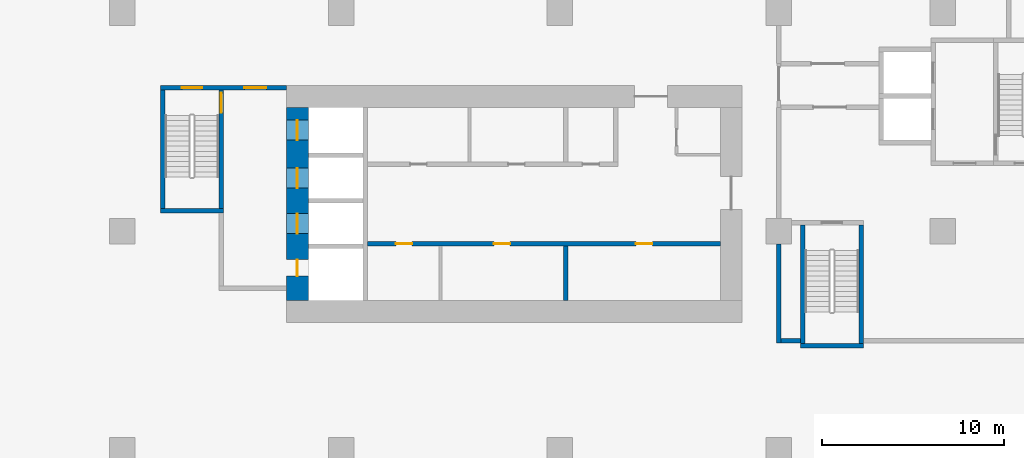
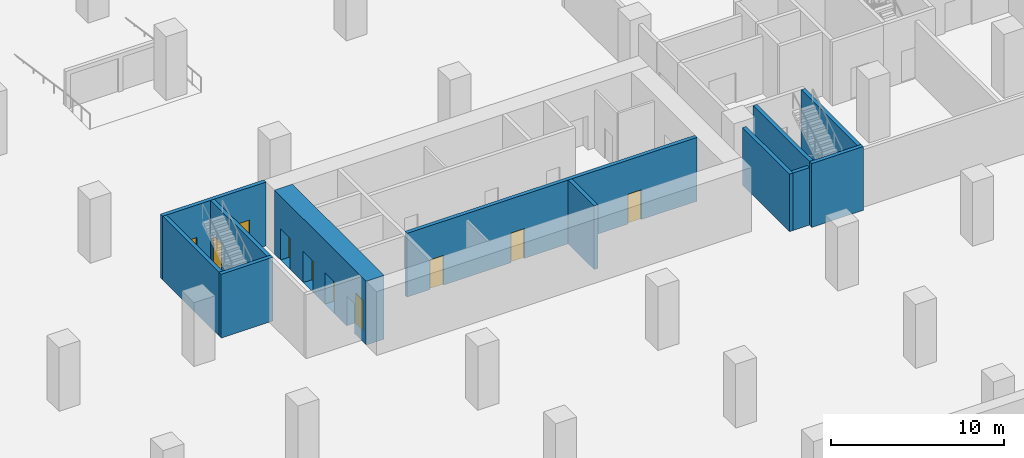
# One storey, part 2 of 10: 12 walls, 10 doors, 10 openings.
"""IFC4 building model written with IfcOpenShell, lengths in metres."""

from ifc_helpers import new_model, si_unit, direction, frame, frame_2d, origin, place, context, subcontext, project, spatial, rectangle, extrude, material, layer, layer_set, type_object, element, fill, save


model = new_model("IFC4")

# Units and contexts
model_context = context("Model", 3, precision=1e-05, world=origin(), true_north=direction((0.0, 1.0)))
body_context = subcontext(model_context, "Body", "Model", "MODEL_VIEW")
ifc_project = project(units=[si_unit("LENGTHUNIT", "METRE"), si_unit("AREAUNIT", "SQUARE_METRE"), si_unit("VOLUMEUNIT", "CUBIC_METRE"), si_unit("PLANEANGLEUNIT", "RADIAN"), si_unit("MASSUNIT", "GRAM", prefix="KILO")], contexts=[model_context])

# Site, building, storey
site_placement = place(None, origin())
site = spatial("IfcSite", under=ifc_project, at=site_placement, CompositionType="ELEMENT")
building_placement = place(site_placement, origin())
building = spatial("IfcBuilding", under=site, at=building_placement, Name="Chenar Terraces", CompositionType="ELEMENT")
storey_placement = place(building_placement, frame((0.0, 0.0, -9.0)))
storey = spatial("IfcBuildingStorey", under=building, at=storey_placement, Name="B2", CompositionType="ELEMENT", Elevation=-9.0)

# Wall, openings, doors
ifc_material_1 = material(Name="Concrete C70/85", Category="concrete")
ifc_layer_1 = layer(ifc_material_1, 1.199951171875)
ifc_layer_set_1 = layer_set([ifc_layer_1], Name="Concrete C70/85")
wall_type_1 = type_object("IfcWallType", Name="Core wall 1200 Concrete C70/85", PredefinedType="SHEAR", material=ifc_layer_set_1)
wall_1_placement = place(storey_placement, frame((9.60009765625, 8.199951171875, 0.0), z_axis=(0.0, 0.0, 1.0), x_axis=(0.0, 1.0, 0.0)))
wall_1 = element("IfcWall", 1, at=wall_1_placement, inside=storey, type_object=wall_type_1, Name="Core wall W B2", PredefinedType="SHEAR", context=body_context, shape_type="SweptSolid", body=[
    extrude(rectangle(XDim=10.60009765625, YDim=1.199951171875, at=frame_2d((5.300048828125, 0.0))), origin(), (0.0, 0.0, 1.0), 4.5),
])
opening_1_placement = place(wall_1_placement, frame((3.675048828125, 0.0, 0.0)))
opening_1 = element("IfcOpeningElement", 2, at=opening_1_placement, cuts=wall_1, Name="Opening DB2-LD1", PredefinedType="OPENING", context=body_context, shape_type="SweptSolid", body=[
    extrude(rectangle(XDim=1.10009765625, YDim=2.199951171875, at=frame_2d((0.550048828125, 1.10009765625))), frame((0.0, 0.60986328125, 0.0), z_axis=(0.0, -1.0, 0.0), x_axis=(1.0, 0.0, 0.0)), (0.0, 0.0, 1.0), 1.219970703125),
])
opening_2_placement = place(wall_1_placement, frame((6.175048828125, 0.0, 0.0)))
opening_2 = element("IfcOpeningElement", 3, at=opening_2_placement, cuts=wall_1, Name="Opening DB2-LD2", PredefinedType="OPENING", context=body_context, shape_type="SweptSolid", body=[
    extrude(rectangle(XDim=1.10009765625, YDim=2.199951171875, at=frame_2d((0.550048828125, 1.10009765625))), frame((0.0, 0.60986328125, 0.0), z_axis=(0.0, -1.0, 0.0), x_axis=(1.0, 0.0, 0.0)), (0.0, 0.0, 1.0), 1.219970703125),
])
opening_3_placement = place(wall_1_placement, frame((8.800048828125, 0.0, 0.0)))
opening_3 = element("IfcOpeningElement", 4, at=opening_3_placement, cuts=wall_1, Name="Opening DB2-LD3", PredefinedType="OPENING", context=body_context, shape_type="SweptSolid", body=[
    extrude(rectangle(XDim=1.10009765625, YDim=2.199951171875, at=frame_2d((0.550048828125, 1.10009765625))), frame((0.0, 0.60986328125, 0.0), z_axis=(0.0, -1.0, 0.0), x_axis=(1.0, 0.0, 0.0)), (0.0, 0.0, 1.0), 1.219970703125),
])
opening_4_placement = place(wall_1_placement, frame((1.35009765625, 0.0, 0.0)))
opening_4 = element("IfcOpeningElement", 5, at=opening_4_placement, cuts=wall_1, Name="Opening DB2-C4", PredefinedType="OPENING", context=body_context, shape_type="SweptSolid", body=[
    extrude(rectangle(XDim=0.89990234375, YDim=2.10009765625, at=frame_2d((0.449951171875, 1.050048828125))), frame((0.0, 0.60986328125, 0.0), z_axis=(0.0, -1.0, 0.0), x_axis=(1.0, 0.0, 0.0)), (0.0, 0.0, 1.0), 1.219970703125),
])
ifc_material_2 = material(Name="Stainless steel", Category="steel")
door_type_1 = type_object("IfcDoorType", Name="Lift landing door 1100 x 2200 sliding", OperationType="DOUBLE_DOOR_SLIDING", PredefinedType="DOOR", material=ifc_material_2)
door_1_placement = place(opening_1_placement, origin())
door_1 = element("IfcDoor", 6, at=door_1_placement, inside=storey, type_object=door_type_1, Name="Landing door S1", OperationType="DOUBLE_DOOR_SLIDING", OverallHeight=2.199951171875, OverallWidth=1.10009765625, PredefinedType="DOOR", context=body_context, shape_type="SweptSolid", body=[
    extrude(rectangle(XDim=1.10009765625, YDim=2.199951171875, at=frame_2d((0.550048828125, 1.10009765625))), frame((0.0, 0.02490234375, 0.0), z_axis=(0.0, -1.0, 0.0), x_axis=(1.0, 0.0, 0.0)), (0.0, 0.0, 1.0), 0.050048828125),
])
fill(opening_1, door_1)
door_2_placement = place(opening_2_placement, origin())
door_2 = element("IfcDoor", 7, at=door_2_placement, inside=storey, type_object=door_type_1, Name="Landing door F1", OperationType="DOUBLE_DOOR_SLIDING", OverallHeight=2.199951171875, OverallWidth=1.10009765625, PredefinedType="DOOR", context=body_context, shape_type="SweptSolid", body=[
    extrude(rectangle(XDim=1.10009765625, YDim=2.199951171875, at=frame_2d((0.550048828125, 1.10009765625))), frame((0.0, 0.02490234375, 0.0), z_axis=(0.0, -1.0, 0.0), x_axis=(1.0, 0.0, 0.0)), (0.0, 0.0, 1.0), 0.050048828125),
])
fill(opening_2, door_2)
door_3_placement = place(opening_3_placement, origin())
door_3 = element("IfcDoor", 8, at=door_3_placement, inside=storey, type_object=door_type_1, Name="Landing door F2", OperationType="DOUBLE_DOOR_SLIDING", OverallHeight=2.199951171875, OverallWidth=1.10009765625, PredefinedType="DOOR", context=body_context, shape_type="SweptSolid", body=[
    extrude(rectangle(XDim=1.10009765625, YDim=2.199951171875, at=frame_2d((0.550048828125, 1.10009765625))), frame((0.0, 0.02490234375, 0.0), z_axis=(0.0, -1.0, 0.0), x_axis=(1.0, 0.0, 0.0)), (0.0, 0.0, 1.0), 0.050048828125),
])
fill(opening_3, door_3)
ifc_material_3 = material(Name="Steel-framed fire-resisting door leaf", Category="steel")
door_type_2 = type_object("IfcDoorType", Name="Riser fire door FD60 900 x 2100", OperationType="SINGLE_SWING_LEFT", PredefinedType="DOOR", material=ifc_material_3)
door_4_placement = place(opening_4_placement, frame((0.89990234375, 0.0, 0.0), z_axis=(0.0, 0.0, 1.0), x_axis=(-1.0, 0.0, 0.0)))
door_4 = element("IfcDoor", 9, at=door_4_placement, inside=storey, type_object=door_type_2, Name="Riser door DB2-C4", OperationType="SINGLE_SWING_RIGHT", OverallHeight=2.10009765625, OverallWidth=0.89990234375, PredefinedType="DOOR", context=body_context, shape_type="SweptSolid", body=[
    extrude(rectangle(XDim=0.89990234375, YDim=2.10009765625, at=frame_2d((0.449951171875, 1.050048828125))), frame((0.0, 0.02490234375, 0.0), z_axis=(0.0, -1.0, 0.0), x_axis=(1.0, 0.0, 0.0)), (0.0, 0.0, 1.0), 0.050048828125),
])
fill(opening_4, door_4)

ifc_material_4 = material(Name="Concrete C70/85", Category="concrete")
ifc_layer_2 = layer(ifc_material_4, 0.25)
ifc_layer_set_2 = layer_set([ifc_layer_2], Name="Concrete C70/85")
wall_type_2 = type_object("IfcWallType", Name="Core wall 250 Concrete C70/85", PredefinedType="SHEAR", material=ifc_layer_set_2)
wall_2_placement = place(storey_placement, frame((13.449951171875, 11.324951171875, 0.0), z_axis=(0.0, 0.0, 1.0), x_axis=(1.0, 0.0, 0.0)))
wall_2 = element("IfcWall", 10, at=wall_2_placement, inside=storey, type_object=wall_type_2, Name="Core wall SF B2", PredefinedType="SHEAR", context=body_context, shape_type="SweptSolid", body=[
    extrude(rectangle(XDim=19.35009765625, YDim=0.25, at=frame_2d((9.675048828125, 0.0))), origin(), (0.0, 0.0, 1.0), 4.5),
])
opening_5_placement = place(wall_2_placement, frame((1.550048828125, 0.0, 0.0)))
opening_5 = element("IfcOpeningElement", 11, at=opening_5_placement, cuts=wall_2, Name="Opening DB2-C12", PredefinedType="OPENING", context=body_context, shape_type="SweptSolid", body=[
    extrude(rectangle(XDim=0.89990234375, YDim=2.10009765625, at=frame_2d((0.449951171875, 1.050048828125))), frame((0.0, 0.135009765625, 0.0), z_axis=(0.0, -1.0, 0.0), x_axis=(1.0, 0.0, 0.0)), (0.0, 0.0, 1.0), 0.27001953125),
])
opening_6_placement = place(wall_2_placement, frame((6.925048828125, 0.0, 0.0)))
opening_6 = element("IfcOpeningElement", 12, at=opening_6_placement, cuts=wall_2, Name="Opening DB2-C13", PredefinedType="OPENING", context=body_context, shape_type="SweptSolid", body=[
    extrude(rectangle(XDim=0.89990234375, YDim=2.10009765625, at=frame_2d((0.449951171875, 1.050048828125))), frame((0.0, 0.135009765625, 0.0), z_axis=(0.0, -1.0, 0.0), x_axis=(1.0, 0.0, 0.0)), (0.0, 0.0, 1.0), 0.27001953125),
])
opening_7_placement = place(wall_2_placement, frame((14.72509765625, 0.0, 0.0)))
opening_7 = element("IfcOpeningElement", 13, at=opening_7_placement, cuts=wall_2, Name="Opening DB2-C14", PredefinedType="OPENING", context=body_context, shape_type="SweptSolid", body=[
    extrude(rectangle(XDim=0.89990234375, YDim=2.10009765625, at=frame_2d((0.449951171875, 1.050048828125))), frame((0.0, 0.135009765625, 0.0), z_axis=(0.0, -1.0, 0.0), x_axis=(1.0, 0.0, 0.0)), (0.0, 0.0, 1.0), 0.27001953125),
])
door_5_placement = place(opening_5_placement, frame((0.89990234375, 0.0, 0.0), z_axis=(0.0, 0.0, 1.0), x_axis=(-1.0, 0.0, 0.0)))
door_5 = element("IfcDoor", 14, at=door_5_placement, inside=storey, type_object=door_type_2, Name="Core room door DB2-C12", OperationType="SINGLE_SWING_RIGHT", OverallHeight=2.10009765625, OverallWidth=0.89990234375, PredefinedType="DOOR", context=body_context, shape_type="SweptSolid", body=[
    extrude(rectangle(XDim=0.89990234375, YDim=2.10009765625, at=frame_2d((0.449951171875, 1.050048828125))), frame((0.0, 0.02490234375, 0.0), z_axis=(0.0, -1.0, 0.0), x_axis=(1.0, 0.0, 0.0)), (0.0, 0.0, 1.0), 0.050048828125),
])
fill(opening_5, door_5)
door_6_placement = place(opening_6_placement, frame((0.89990234375, 0.0, 0.0), z_axis=(0.0, 0.0, 1.0), x_axis=(-1.0, 0.0, 0.0)))
door_6 = element("IfcDoor", 15, at=door_6_placement, inside=storey, type_object=door_type_2, Name="Core room door DB2-C13", OperationType="SINGLE_SWING_LEFT", OverallHeight=2.10009765625, OverallWidth=0.89990234375, PredefinedType="DOOR", context=body_context, shape_type="SweptSolid", body=[
    extrude(rectangle(XDim=0.89990234375, YDim=2.10009765625, at=frame_2d((0.449951171875, 1.050048828125))), frame((0.0, 0.02490234375, 0.0), z_axis=(0.0, -1.0, 0.0), x_axis=(1.0, 0.0, 0.0)), (0.0, 0.0, 1.0), 0.050048828125),
])
fill(opening_6, door_6)
door_7_placement = place(opening_7_placement, frame((0.89990234375, 0.0, 0.0), z_axis=(0.0, 0.0, 1.0), x_axis=(-1.0, 0.0, 0.0)))
door_7 = element("IfcDoor", 16, at=door_7_placement, inside=storey, type_object=door_type_2, Name="Core room door DB2-C14", OperationType="SINGLE_SWING_LEFT", OverallHeight=2.10009765625, OverallWidth=0.89990234375, PredefinedType="DOOR", context=body_context, shape_type="SweptSolid", body=[
    extrude(rectangle(XDim=0.89990234375, YDim=2.10009765625, at=frame_2d((0.449951171875, 1.050048828125))), frame((0.0, 0.02490234375, 0.0), z_axis=(0.0, -1.0, 0.0), x_axis=(1.0, 0.0, 0.0)), (0.0, 0.0, 1.0), 0.050048828125),
])
fill(opening_7, door_7)

# Wall
wall_3_placement = place(storey_placement, frame((24.324951171875, 8.199951171875, 0.0), z_axis=(0.0, 0.0, 1.0), x_axis=(0.0, 1.0, 0.0)))
element("IfcWall", 17, at=wall_3_placement, inside=storey, type_object=wall_type_2, Name="Core wall SS3 B2", PredefinedType="SHEAR", context=body_context, shape_type="SweptSolid", body=[
    extrude(rectangle(XDim=3.0, YDim=0.25, at=frame_2d((1.5, 0.0))), origin(), (0.0, 0.0, 1.0), 4.5),
])

# Wall, openings, doors
wall_4_placement = place(storey_placement, frame((2.10009765625, 19.875, 0.0), z_axis=(0.0, 0.0, 1.0), x_axis=(1.0, 0.0, 0.0)))
wall_4 = element("IfcWall", 18, at=wall_4_placement, inside=storey, type_object=wall_type_2, Name="Core wall A_N B2", PredefinedType="SHEAR", context=body_context, shape_type="SweptSolid", body=[
    extrude(rectangle(XDim=6.89990234375, YDim=0.25, at=frame_2d((3.449951171875, 0.0))), origin(), (0.0, 0.0, 1.0), 4.5),
])
opening_8_placement = place(wall_4_placement, frame((1.175048828125, 0.0, 0.0)))
opening_8 = element("IfcOpeningElement", 19, at=opening_8_placement, cuts=wall_4, Name="Opening DB2-C5", PredefinedType="OPENING", context=body_context, shape_type="SweptSolid", body=[
    extrude(rectangle(XDim=1.10009765625, YDim=2.199951171875, at=frame_2d((0.550048828125, 1.10009765625))), frame((0.0, 0.135009765625, 0.0), z_axis=(0.0, -1.0, 0.0), x_axis=(1.0, 0.0, 0.0)), (0.0, 0.0, 1.0), 0.27001953125),
])
opening_9_placement = place(wall_4_placement, frame((4.60009765625, 0.0, 0.0)))
opening_9 = element("IfcOpeningElement", 20, at=opening_9_placement, cuts=wall_4, Name="Opening DB2-C6", PredefinedType="OPENING", context=body_context, shape_type="SweptSolid", body=[
    extrude(rectangle(XDim=1.199951171875, YDim=2.199951171875, at=frame_2d((0.60009765625, 1.10009765625))), frame((0.0, 0.135009765625, 0.0), z_axis=(0.0, -1.0, 0.0), x_axis=(1.0, 0.0, 0.0)), (0.0, 0.0, 1.0), 0.27001953125),
])
ifc_material_5 = material(Name="Steel-framed fire-resisting door leaf", Category="steel")
door_type_3 = type_object("IfcDoorType", Name="Lobby fire door FD60 1200 x 2200", OperationType="SINGLE_SWING_LEFT", PredefinedType="DOOR", material=ifc_material_5)
door_8_placement = place(opening_9_placement, origin())
door_8 = element("IfcDoor", 21, at=door_8_placement, inside=storey, type_object=door_type_3, Name="Core door DB2-C6", OperationType="SINGLE_SWING_LEFT", OverallHeight=2.199951171875, OverallWidth=1.199951171875, PredefinedType="DOOR", context=body_context, shape_type="SweptSolid", body=[
    extrude(rectangle(XDim=1.199951171875, YDim=2.199951171875, at=frame_2d((0.60009765625, 1.10009765625))), frame((0.0, 0.02490234375, 0.0), z_axis=(0.0, -1.0, 0.0), x_axis=(1.0, 0.0, 0.0)), (0.0, 0.0, 1.0), 0.050048828125),
])
fill(opening_9, door_8)
ifc_material_6 = material(Name="Steel-framed fire-resisting door leaf", Category="steel")
door_type_4 = type_object("IfcDoorType", Name="Stair fire door FD60 1100 x 2200", OperationType="SINGLE_SWING_LEFT", PredefinedType="DOOR", material=ifc_material_6)
door_9_placement = place(opening_8_placement, origin())
door_9 = element("IfcDoor", 22, at=door_9_placement, inside=storey, type_object=door_type_4, Name="Stair door DB2-C5", OperationType="SINGLE_SWING_LEFT", OverallHeight=2.199951171875, OverallWidth=1.10009765625, PredefinedType="DOOR", context=body_context, shape_type="SweptSolid", body=[
    extrude(rectangle(XDim=1.10009765625, YDim=2.199951171875, at=frame_2d((0.550048828125, 1.10009765625))), frame((0.0, 0.02490234375, 0.0), z_axis=(0.0, -1.0, 0.0), x_axis=(1.0, 0.0, 0.0)), (0.0, 0.0, 1.0), 0.050048828125),
])
fill(opening_8, door_9)

# Walls
wall_5_placement = place(storey_placement, frame((2.10009765625, 13.125, 0.0), z_axis=(0.0, 0.0, 1.0), x_axis=(1.0, 0.0, 0.0)))
element("IfcWall", 23, at=wall_5_placement, inside=storey, type_object=wall_type_2, Name="Core wall ST1_S B2", PredefinedType="SHEAR", context=body_context, shape_type="SweptSolid", body=[
    extrude(rectangle(XDim=3.449951171875, YDim=0.25, at=frame_2d((1.72509765625, 0.0))), origin(), (0.0, 0.0, 1.0), 4.5),
])
wall_6_placement = place(storey_placement, frame((2.22509765625, 13.25, 0.0), z_axis=(0.0, 0.0, 1.0), x_axis=(0.0, 1.0, 0.0)))
element("IfcWall", 24, at=wall_6_placement, inside=storey, type_object=wall_type_2, Name="Core wall ST1_W B2", PredefinedType="SHEAR", context=body_context, shape_type="SweptSolid", body=[
    extrude(rectangle(XDim=6.5, YDim=0.25, at=frame_2d((3.25, 0.0))), origin(), (0.0, 0.0, 1.0), 4.5),
])

# Wall, opening, door
wall_7_placement = place(storey_placement, frame((5.425048828125, 13.25, 0.0), z_axis=(0.0, 0.0, 1.0), x_axis=(0.0, 1.0, 0.0)))
wall_7 = element("IfcWall", 25, at=wall_7_placement, inside=storey, type_object=wall_type_2, Name="Core wall ST1_E B2", PredefinedType="SHEAR", context=body_context, shape_type="SweptSolid", body=[
    extrude(rectangle(XDim=6.5, YDim=0.25, at=frame_2d((3.25, 0.0))), origin(), (0.0, 0.0, 1.0), 4.5),
])
opening_10_placement = place(wall_7_placement, frame((5.25, 0.0, 0.0)))
opening_10 = element("IfcOpeningElement", 26, at=opening_10_placement, cuts=wall_7, Name="Opening DB2-C3", PredefinedType="OPENING", context=body_context, shape_type="SweptSolid", body=[
    extrude(rectangle(XDim=1.10009765625, YDim=2.199951171875, at=frame_2d((0.550048828125, 1.10009765625))), frame((0.0, 0.135009765625, 0.0), z_axis=(0.0, -1.0, 0.0), x_axis=(1.0, 0.0, 0.0)), (0.0, 0.0, 1.0), 0.27001953125),
])
door_10_placement = place(opening_10_placement, origin())
door_10 = element("IfcDoor", 27, at=door_10_placement, inside=storey, type_object=door_type_4, Name="Stair door DB2-C3", OperationType="SINGLE_SWING_RIGHT", OverallHeight=2.199951171875, OverallWidth=1.10009765625, PredefinedType="DOOR", context=body_context, shape_type="SweptSolid", body=[
    extrude(rectangle(XDim=1.10009765625, YDim=2.199951171875, at=frame_2d((0.550048828125, 1.10009765625))), frame((0.0, 0.02490234375, 0.0), z_axis=(0.0, -1.0, 0.0), x_axis=(1.0, 0.0, 0.0)), (0.0, 0.0, 1.0), 0.050048828125),
])
fill(opening_10, door_10)

# Walls
wall_8_placement = place(storey_placement, frame((37.199951171875, 5.72509765625, 0.0), z_axis=(0.0, 0.0, 1.0), x_axis=(1.0, 0.0, 0.0)))
element("IfcWall", 28, at=wall_8_placement, inside=storey, type_object=wall_type_2, Name="Core wall ST2_S B2", PredefinedType="SHEAR", context=body_context, shape_type="SweptSolid", body=[
    extrude(rectangle(XDim=3.449951171875, YDim=0.25, at=frame_2d((1.72509765625, 0.0))), origin(), (0.0, 0.0, 1.0), 4.5),
])
for number, where, z_axis, x_axis, name in (
    (29, (37.324951171875, 5.85009765625, 0.0), (0.0, 0.0, 1.0), (0.0, 1.0, 0.0), "Core wall ST2_W B2"),
    (30, (40.52490234375, 5.85009765625, 0.0), (0.0, 0.0, 1.0), (0.0, 1.0, 0.0), "Core wall ST2_E B2"),
):
    element("IfcWall", number, at=place(storey_placement, frame(where, z_axis=z_axis, x_axis=x_axis)), inside=storey, type_object=wall_type_2, Name=name, PredefinedType="SHEAR", context=body_context, shape_type="SweptSolid", body=[
        extrude(rectangle(XDim=6.5, YDim=0.25, at=frame_2d((3.25, 0.0))), origin(), (0.0, 0.0, 1.0), 4.5),
    ])
ifc_material_7 = material(Name="Fire-board and steel stud wall with mineral wool", Category="steel")
ifc_layer_3 = layer(ifc_material_7, 0.25)
ifc_layer_set_3 = layer_set([ifc_layer_3], Name="Fire-board and steel stud wall with mineral wool")
wall_type_3 = type_object("IfcWallType", Name="Plant room wall 250", PredefinedType="PARTITIONING", material=ifc_layer_set_3)
wall_9_placement = place(storey_placement, frame((36.0, 5.875, 0.0), z_axis=(0.0, 0.0, 1.0), x_axis=(0.0, 1.0, 0.0)))
element("IfcWall", 31, at=wall_9_placement, inside=storey, type_object=wall_type_3, Name="Partition B2-006", PredefinedType="PARTITIONING", context=body_context, shape_type="SweptSolid", body=[
    extrude(rectangle(XDim=5.426025390625, YDim=0.25, at=frame_2d((2.712890625, 0.0))), origin(), (0.0, 0.0, 1.0), 4.050048828125),
])
wall_10_placement = place(storey_placement, frame((36.125, 6.0, 0.0), z_axis=(0.0, 0.0, 1.0), x_axis=(1.0, 0.0, 0.0)))
element("IfcWall", 32, at=wall_10_placement, inside=storey, type_object=wall_type_3, Name="Partition B2-011", PredefinedType="PARTITIONING", context=body_context, shape_type="SweptSolid", body=[
    extrude(rectangle(XDim=1.074951171875, YDim=0.25, at=frame_2d((0.53759765625, 0.0))), origin(), (0.0, 0.0, 1.0), 4.050048828125),
])

save(model, "model.ifc")
